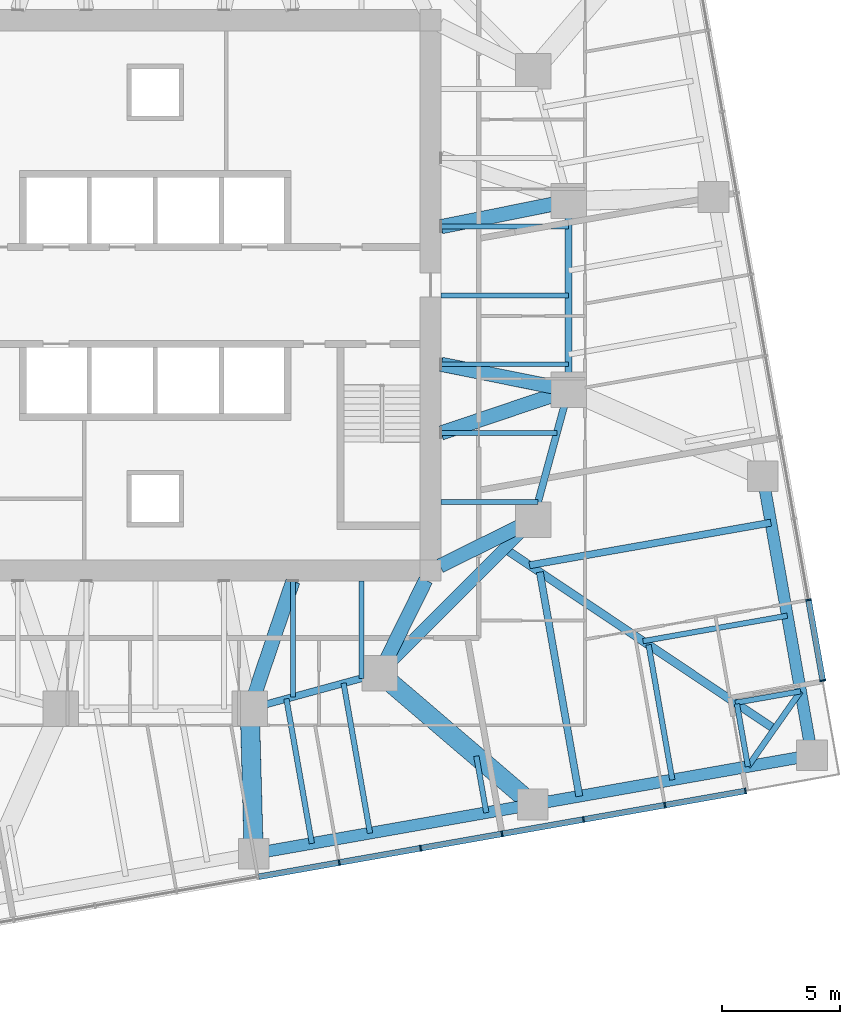
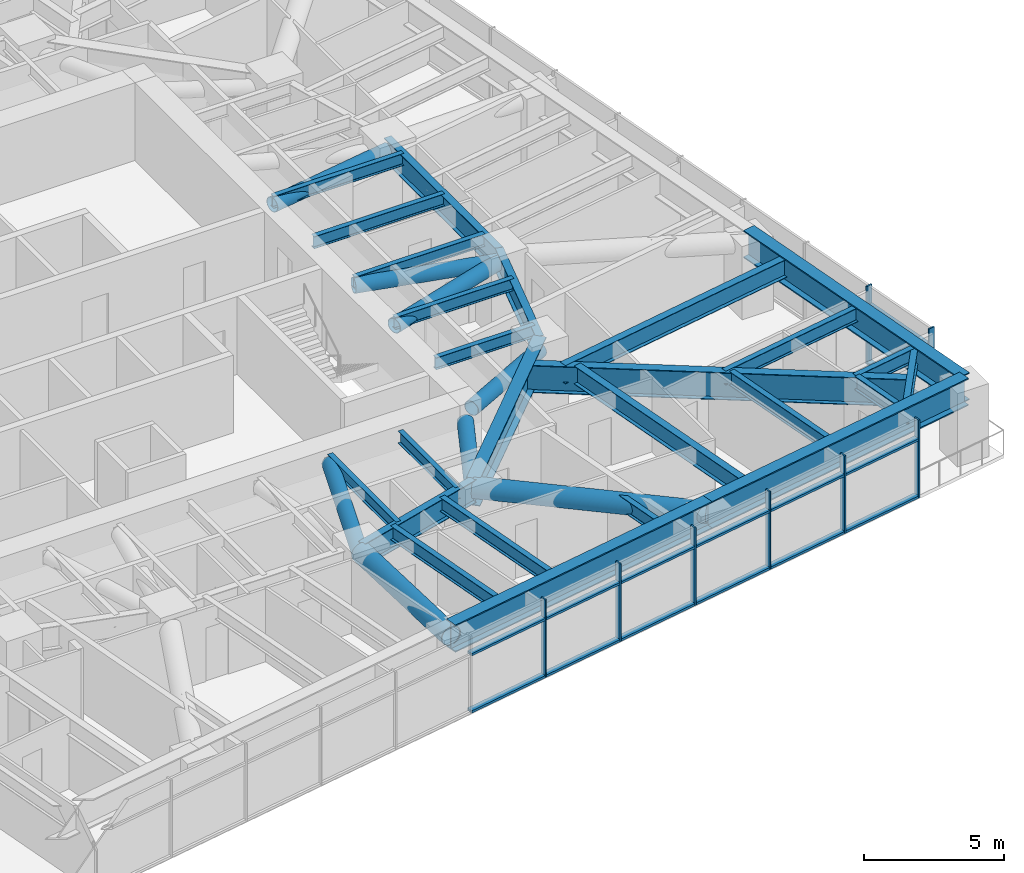
# One storey, part 4 of 17: 30 members, 25 beams, 2 elements without a shape of their own.
"""IFC4 building model written with IfcOpenShell, lengths in metres."""

from ifc_helpers import new_model, si_unit, direction, frame, origin, origin_2d, place, context, subcontext, project, spatial, rectangle, hollow_circle, i_section, extrude, material, material_profile, profile_set, type_object, element, aggregate, save


model = new_model("IFC4")

# Units and contexts
model_context = context("Model", 3, precision=1e-05, world=origin(), true_north=direction((0.0, 1.0)))
body_context = subcontext(model_context, "Body", "Model", "MODEL_VIEW")
ifc_project = project(units=[si_unit("LENGTHUNIT", "METRE"), si_unit("AREAUNIT", "SQUARE_METRE"), si_unit("VOLUMEUNIT", "CUBIC_METRE"), si_unit("PLANEANGLEUNIT", "RADIAN"), si_unit("MASSUNIT", "GRAM", prefix="KILO")], contexts=[model_context])

# Site, building, storey
site_placement = place(None, origin())
site = spatial("IfcSite", under=ifc_project, at=site_placement, CompositionType="ELEMENT")
building_placement = place(site_placement, origin())
building = spatial("IfcBuilding", under=site, at=building_placement, Name="Torsade Residences", CompositionType="ELEMENT")
storey_placement = place(building_placement, frame((0.0, 0.0, 103.199951171875)))
storey = spatial("IfcBuildingStorey", under=building, at=storey_placement, Name="L28", CompositionType="ELEMENT", Elevation=103.199951171875)

# Beams
ifc_material_1 = material(Name="Steel grade 300", Category="steel")
ifc_material_profile_1 = material_profile(ifc_material_1, i_section(OverallWidth=0.35009765625, OverallDepth=1.199951171875, WebThickness=0.01611328125, FlangeThickness=0.028076171875, at=origin_2d()), Name="1200WB278")
ifc_profile_set_1 = profile_set([ifc_material_profile_1], Name="Steel grade 300")
beam_type_1 = type_object("IfcBeamType", Name="CORNER GIRDER 1200WB278", PredefinedType="BEAM", material=ifc_profile_set_1)
beam_1_placement = place(storey_placement, frame((66.2099609375, 11.6474609375, 2.60009765625), z_axis=(-0.831284218533, 0.555847594236, 0.0), x_axis=(-0.555847594236, -0.831284218533, 0.0)))
element("IfcBeam", 1, at=beam_1_placement, inside=storey, type_object=beam_type_1, Name="Corner girder 05 L29", PredefinedType="BEAM", context=body_context, shape_type="SweptSolid", body=[
    extrude(i_section(OverallWidth=0.35009765625, OverallDepth=1.199951171875, WebThickness=0.01611328125, FlangeThickness=0.028076171875, at=origin_2d()), origin(), (0.0, 0.0, 1.0), 13.742431640625),
])
ifc_material_2 = material(Name="Steel grade 300", Category="steel")
ifc_material_profile_2 = material_profile(ifc_material_2, i_section(OverallWidth=0.25, OverallDepth=0.699951171875, WebThickness=0.010009765625, FlangeThickness=0.02001953125, at=origin_2d()), Name="700WB130")
ifc_profile_set_2 = profile_set([ifc_material_profile_2], Name="Steel grade 300")
beam_type_2 = type_object("IfcBeamType", Name="CORNER TRIMMER 700WB130", PredefinedType="BEAM", material=ifc_profile_set_2)
beam_2_placement = place(storey_placement, frame((67.325439453125, 13.240478515625, 2.85009765625), z_axis=(-0.573576092373, -0.819152285145, 0.0), x_axis=(0.819152285145, -0.573576092373, 0.0)))
element("IfcBeam", 2, at=beam_2_placement, inside=storey, type_object=beam_type_2, Name="Corner trimmer 05 L29", PredefinedType="BEAM", context=body_context, shape_type="SweptSolid", body=[
    extrude(i_section(OverallWidth=0.25, OverallDepth=0.699951171875, WebThickness=0.010009765625, FlangeThickness=0.02001953125, at=origin_2d()), origin(), (0.0, 0.0, 1.0), 3.88916015625),
])

# Curtain wall, members
ifc_material_3 = material(Name="Aluminium and glass", Category="aluminium")
curtain_wall_type = type_object("IfcCurtainWallType", Name="FRITTED GLASS CURTAIN WALL LOW ZONE", PredefinedType="NOTDEFINED", material=ifc_material_3)
curtain_wall_1_placement = place(storey_placement, origin())
curtain_wall_1 = element("IfcCurtainWall", 3, at=curtain_wall_1_placement, inside=storey, type_object=curtain_wall_type, Name="Curtain wall L28 face 1", PredefinedType="NOTDEFINED")
ifc_material_4 = material(Name="Aluminium mullion", Category="aluminium")
ifc_material_profile_3 = material_profile(ifc_material_4, rectangle(XDim=0.25, YDim=0.06494140625, at=origin_2d()), Name="CURTAIN WALL MULLION 250x65")
ifc_profile_set_3 = profile_set([ifc_material_profile_3], Name="Aluminium mullion")
member_type_1 = type_object("IfcMemberType", Name="CURTAIN WALL MULLION 250x65", PredefinedType="MULLION", material=ifc_profile_set_3)
member_1_placement = place(storey_placement, frame((47.7880859375, 5.987548828125, 0.0), z_axis=(0.0, 0.0, 1.0), x_axis=(-0.173648192638, 0.984807750372, 0.0)))
member_1 = element("IfcMember", 4, at=member_1_placement, type_object=member_type_1, Name="Mullion 8", PredefinedType="MULLION", context=body_context, shape_type="SweptSolid", body=[
    extrude(rectangle(XDim=0.25, YDim=0.06494140625, at=origin_2d()), origin(), (0.0, 0.0, 1.0), 3.400146484375),
])
member_2_placement = place(storey_placement, frame((51.23486328125, 6.595458984375, 0.0), z_axis=(0.0, 0.0, 1.0), x_axis=(-0.173648192638, 0.984807750372, 0.0)))
member_2 = element("IfcMember", 5, at=member_2_placement, type_object=member_type_1, Name="Mullion 9", PredefinedType="MULLION", context=body_context, shape_type="SweptSolid", body=[
    extrude(rectangle(XDim=0.25, YDim=0.06494140625, at=origin_2d()), origin(), (0.0, 0.0, 1.0), 3.400146484375),
])
member_3_placement = place(storey_placement, frame((54.681640625, 7.203125, 0.0), z_axis=(0.0, 0.0, 1.0), x_axis=(-0.173648192638, 0.984807750372, 0.0)))
member_3 = element("IfcMember", 6, at=member_3_placement, type_object=member_type_1, Name="Mullion 10", PredefinedType="MULLION", context=body_context, shape_type="SweptSolid", body=[
    extrude(rectangle(XDim=0.25, YDim=0.06494140625, at=origin_2d()), origin(), (0.0, 0.0, 1.0), 3.400146484375),
])
member_4_placement = place(storey_placement, frame((58.12841796875, 7.810791015625, 0.0), z_axis=(0.0, 0.0, 1.0), x_axis=(-0.173648192638, 0.984807750372, 0.0)))
member_4 = element("IfcMember", 7, at=member_4_placement, type_object=member_type_1, Name="Mullion 11", PredefinedType="MULLION", context=body_context, shape_type="SweptSolid", body=[
    extrude(rectangle(XDim=0.25, YDim=0.06494140625, at=origin_2d()), origin(), (0.0, 0.0, 1.0), 3.400146484375),
])
member_5_placement = place(storey_placement, frame((61.575439453125, 8.418701171875, 0.0), z_axis=(0.0, 0.0, 1.0), x_axis=(-0.173648192638, 0.984807750372, 0.0)))
member_5 = element("IfcMember", 8, at=member_5_placement, type_object=member_type_1, Name="Mullion 12", PredefinedType="MULLION", context=body_context, shape_type="SweptSolid", body=[
    extrude(rectangle(XDim=0.25, YDim=0.06494140625, at=origin_2d()), origin(), (0.0, 0.0, 1.0), 3.400146484375),
])
member_6_placement = place(storey_placement, frame((64.990234375, 9.020751953125, 0.0), z_axis=(0.0, 0.0, 1.0), x_axis=(-0.173648192638, 0.984807750372, 0.0)))
member_6 = element("IfcMember", 9, at=member_6_placement, type_object=member_type_1, Name="Mullion 13", PredefinedType="MULLION", context=body_context, shape_type="SweptSolid", body=[
    extrude(rectangle(XDim=0.25, YDim=0.06494140625, at=origin_2d()), origin(), (0.0, 0.0, 1.0), 3.400146484375),
])

curtain_wall_2_placement = place(storey_placement, origin())
curtain_wall_2 = element("IfcCurtainWall", 10, at=curtain_wall_2_placement, inside=storey, type_object=curtain_wall_type, Name="Curtain wall L28 face 4", PredefinedType="NOTDEFINED")
member_7_placement = place(storey_placement, frame((68.26123046875, 13.692138671875, 0.0), z_axis=(0.0, 0.0, 1.0), x_axis=(-0.984807750372, -0.173648192638, 0.0)))
member_7 = element("IfcMember", 11, at=member_7_placement, type_object=member_type_1, Name="Mullion 1", PredefinedType="MULLION", context=body_context, shape_type="SweptSolid", body=[
    extrude(rectangle(XDim=0.25, YDim=0.06494140625, at=origin_2d()), origin(), (0.0, 0.0, 1.0), 3.400146484375),
])
member_8_placement = place(storey_placement, frame((67.658935546875, 17.107177734375, 0.0), z_axis=(0.0, 0.0, 1.0), x_axis=(-0.984807750372, -0.173648192638, 0.0)))
member_8 = element("IfcMember", 12, at=member_8_placement, type_object=member_type_1, Name="Mullion 2", PredefinedType="MULLION", context=body_context, shape_type="SweptSolid", body=[
    extrude(rectangle(XDim=0.25, YDim=0.06494140625, at=origin_2d()), origin(), (0.0, 0.0, 1.0), 3.400146484375),
])

# Member
ifc_material_5 = material(Name="Aluminium transom", Category="aluminium")
ifc_material_profile_4 = material_profile(ifc_material_5, rectangle(XDim=0.25, YDim=0.10009765625, at=origin_2d()), Name="CURTAIN WALL TRANSOM 250x100")
ifc_profile_set_4 = profile_set([ifc_material_profile_4], Name="Aluminium transom")
member_type_2 = type_object("IfcMemberType", Name="CURTAIN WALL TRANSOM 250x100", PredefinedType="USERDEFINED", material=ifc_profile_set_4)
member_9_placement = place(storey_placement, frame((44.373291015625, 5.385498046875, 0.050048828125), z_axis=(0.984810021497, 0.17363531196, 0.0), x_axis=(-0.17363531196, 0.984810021497, 0.0)))
member_9 = element("IfcMember", 13, at=member_9_placement, type_object=member_type_2, Name="Transom 7.1", ObjectType="TRANSOM", PredefinedType="USERDEFINED", context=body_context, shape_type="SweptSolid", body=[
    extrude(rectangle(XDim=0.25, YDim=0.10009765625, at=origin_2d()), origin(), (0.0, 0.0, 1.0), 3.43505859375),
])

member_10_placement = place(storey_placement, frame((44.373291015625, 5.385498046875, 2.550048828125), z_axis=(0.984810021497, 0.17363531196, 0.0), x_axis=(-0.17363531196, 0.984810021497, 0.0)))
member_10 = element("IfcMember", 14, at=member_10_placement, type_object=member_type_2, Name="Transom 7.2", ObjectType="TRANSOM", PredefinedType="USERDEFINED", context=body_context, shape_type="SweptSolid", body=[
    extrude(rectangle(XDim=0.25, YDim=0.10009765625, at=origin_2d()), origin(), (0.0, 0.0, 1.0), 3.43505859375),
])

member_11_placement = place(storey_placement, frame((47.820068359375, 5.9931640625, 0.050048828125), z_axis=(0.984810021497, 0.17363531196, 0.0), x_axis=(-0.17363531196, 0.984810021497, 0.0)))
member_11 = element("IfcMember", 15, at=member_11_placement, type_object=member_type_2, Name="Transom 8.1", ObjectType="TRANSOM", PredefinedType="USERDEFINED", context=body_context, shape_type="SweptSolid", body=[
    extrude(rectangle(XDim=0.25, YDim=0.10009765625, at=origin_2d()), origin(), (0.0, 0.0, 1.0), 3.43505859375),
])

member_12_placement = place(storey_placement, frame((47.820068359375, 5.9931640625, 2.550048828125), z_axis=(0.984810021497, 0.17363531196, 0.0), x_axis=(-0.17363531196, 0.984810021497, 0.0)))
member_12 = element("IfcMember", 16, at=member_12_placement, type_object=member_type_2, Name="Transom 8.2", ObjectType="TRANSOM", PredefinedType="USERDEFINED", context=body_context, shape_type="SweptSolid", body=[
    extrude(rectangle(XDim=0.25, YDim=0.10009765625, at=origin_2d()), origin(), (0.0, 0.0, 1.0), 3.43505859375),
])

member_13_placement = place(storey_placement, frame((51.266845703125, 6.60107421875, 0.050048828125), z_axis=(0.984810021497, 0.17363531196, 0.0), x_axis=(-0.17363531196, 0.984810021497, 0.0)))
member_13 = element("IfcMember", 17, at=member_13_placement, type_object=member_type_2, Name="Transom 9.1", ObjectType="TRANSOM", PredefinedType="USERDEFINED", context=body_context, shape_type="SweptSolid", body=[
    extrude(rectangle(XDim=0.25, YDim=0.10009765625, at=origin_2d()), origin(), (0.0, 0.0, 1.0), 3.43505859375),
])

member_14_placement = place(storey_placement, frame((51.266845703125, 6.60107421875, 2.550048828125), z_axis=(0.984810021497, 0.17363531196, 0.0), x_axis=(-0.17363531196, 0.984810021497, 0.0)))
member_14 = element("IfcMember", 18, at=member_14_placement, type_object=member_type_2, Name="Transom 9.2", ObjectType="TRANSOM", PredefinedType="USERDEFINED", context=body_context, shape_type="SweptSolid", body=[
    extrude(rectangle(XDim=0.25, YDim=0.10009765625, at=origin_2d()), origin(), (0.0, 0.0, 1.0), 3.43505859375),
])

member_15_placement = place(storey_placement, frame((54.713623046875, 7.208740234375, 0.050048828125), z_axis=(0.984810021497, 0.17363531196, 0.0), x_axis=(-0.17363531196, 0.984810021497, 0.0)))
member_15 = element("IfcMember", 19, at=member_15_placement, type_object=member_type_2, Name="Transom 10.1", ObjectType="TRANSOM", PredefinedType="USERDEFINED", context=body_context, shape_type="SweptSolid", body=[
    extrude(rectangle(XDim=0.25, YDim=0.10009765625, at=origin_2d()), origin(), (0.0, 0.0, 1.0), 3.43505859375),
])

member_16_placement = place(storey_placement, frame((54.713623046875, 7.208740234375, 2.550048828125), z_axis=(0.984810021497, 0.17363531196, 0.0), x_axis=(-0.17363531196, 0.984810021497, 0.0)))
member_16 = element("IfcMember", 20, at=member_16_placement, type_object=member_type_2, Name="Transom 10.2", ObjectType="TRANSOM", PredefinedType="USERDEFINED", context=body_context, shape_type="SweptSolid", body=[
    extrude(rectangle(XDim=0.25, YDim=0.10009765625, at=origin_2d()), origin(), (0.0, 0.0, 1.0), 3.43505859375),
])

member_17_placement = place(storey_placement, frame((58.160400390625, 7.81640625, 0.050048828125), z_axis=(0.98479786563, 0.173704242465, 0.0), x_axis=(-0.173704242465, 0.98479786563, 0.0)))
member_17 = element("IfcMember", 21, at=member_17_placement, type_object=member_type_2, Name="Transom 11.1", ObjectType="TRANSOM", PredefinedType="USERDEFINED", context=body_context, shape_type="SweptSolid", body=[
    extrude(rectangle(XDim=0.25, YDim=0.10009765625, at=origin_2d()), origin(), (0.0, 0.0, 1.0), 3.43505859375),
])

member_18_placement = place(storey_placement, frame((58.160400390625, 7.81640625, 2.550048828125), z_axis=(0.98479786563, 0.173704242465, 0.0), x_axis=(-0.173704242465, 0.98479786563, 0.0)))
member_18 = element("IfcMember", 22, at=member_18_placement, type_object=member_type_2, Name="Transom 11.2", ObjectType="TRANSOM", PredefinedType="USERDEFINED", context=body_context, shape_type="SweptSolid", body=[
    extrude(rectangle(XDim=0.25, YDim=0.10009765625, at=origin_2d()), origin(), (0.0, 0.0, 1.0), 3.43505859375),
])

member_19_placement = place(storey_placement, frame((61.607421875, 8.42431640625, 0.050048828125), z_axis=(0.984808830466, 0.173642067011, 0.0), x_axis=(-0.173642067011, 0.984808830466, 0.0)))
member_19 = element("IfcMember", 23, at=member_19_placement, type_object=member_type_2, Name="Transom 12.1", ObjectType="TRANSOM", PredefinedType="USERDEFINED", context=body_context, shape_type="SweptSolid", body=[
    extrude(rectangle(XDim=0.25, YDim=0.10009765625, at=origin_2d()), origin(), (0.0, 0.0, 1.0), 3.402587890625),
])

member_20_placement = place(storey_placement, frame((61.607421875, 8.42431640625, 2.550048828125), z_axis=(0.984808830466, 0.173642067011, 0.0), x_axis=(-0.173642067011, 0.984808830466, 0.0)))
member_20 = element("IfcMember", 24, at=member_20_placement, type_object=member_type_2, Name="Transom 12.2", ObjectType="TRANSOM", PredefinedType="USERDEFINED", context=body_context, shape_type="SweptSolid", body=[
    extrude(rectangle(XDim=0.25, YDim=0.10009765625, at=origin_2d()), origin(), (0.0, 0.0, 1.0), 3.402587890625),
])

aggregate(curtain_wall_1, [member_1, member_2, member_3, member_4, member_5, member_6, member_9, member_10, member_11, member_12, member_13, member_14, member_15, member_16, member_17, member_18, member_19, member_20])

member_21_placement = place(storey_placement, frame((68.255615234375, 13.724365234375, 0.050048828125), z_axis=(-0.173654337918, 0.984806666774, 0.0), x_axis=(-0.984806666774, -0.173654337918, 0.0)))
member_21 = element("IfcMember", 25, at=member_21_placement, type_object=member_type_2, Name="Transom 1.1", ObjectType="TRANSOM", PredefinedType="USERDEFINED", context=body_context, shape_type="SweptSolid", body=[
    extrude(rectangle(XDim=0.25, YDim=0.10009765625, at=origin_2d()), origin(), (0.0, 0.0, 1.0), 3.40234375),
])

member_22_placement = place(storey_placement, frame((68.255615234375, 13.724365234375, 2.550048828125), z_axis=(-0.173654337918, 0.984806666774, 0.0), x_axis=(-0.984806666774, -0.173654337918, 0.0)))
member_22 = element("IfcMember", 26, at=member_22_placement, type_object=member_type_2, Name="Transom 1.2", ObjectType="TRANSOM", PredefinedType="USERDEFINED", context=body_context, shape_type="SweptSolid", body=[
    extrude(rectangle(XDim=0.25, YDim=0.10009765625, at=origin_2d()), origin(), (0.0, 0.0, 1.0), 3.40234375),
])

aggregate(curtain_wall_2, [member_7, member_8, member_21, member_22])

# Beams
ifc_material_6 = material(Name="Steel grade 300", Category="steel")
ifc_material_profile_5 = material_profile(ifc_material_6, i_section(OverallWidth=0.208984375, OverallDepth=0.528076171875, WebThickness=0.009521484375, FlangeThickness=0.01318359375, FilletRadius=0.013916015625, at=origin_2d()), Name="530UB82.0")
ifc_profile_set_5 = profile_set([ifc_material_profile_5], Name="Steel grade 300")
beam_type_3 = type_object("IfcBeamType", Name="INNER FLOOR BEAM 530UB82.0", PredefinedType="JOIST", material=ifc_profile_set_5)
beam_3_placement = place(storey_placement, frame((48.737548828125, 17.89990234375, 2.93603515625), z_axis=(0.0, -1.0, 0.0), x_axis=(1.0, 0.0, 0.0)))
element("IfcBeam", 27, at=beam_3_placement, inside=storey, type_object=beam_type_3, Name="Inner floor beam IS01 L29", PredefinedType="JOIST", context=body_context, shape_type="SweptSolid", body=[
    extrude(i_section(OverallWidth=0.208984375, OverallDepth=0.528076171875, WebThickness=0.009521484375, FlangeThickness=0.01318359375, FilletRadius=0.013916015625, at=origin_2d()), origin(), (0.0, 0.0, 1.0), 4.10791015625),
])
beam_4_placement = place(storey_placement, frame((45.824951171875, 17.89990234375, 2.93603515625), z_axis=(0.0, -1.0, 0.0), x_axis=(1.0, 0.0, 0.0)))
element("IfcBeam", 28, at=beam_4_placement, inside=storey, type_object=beam_type_3, Name="Inner floor beam IS02 L29", PredefinedType="JOIST", context=body_context, shape_type="SweptSolid", body=[
    extrude(i_section(OverallWidth=0.208984375, OverallDepth=0.528076171875, WebThickness=0.009521484375, FlangeThickness=0.01318359375, FilletRadius=0.013916015625, at=origin_2d()), origin(), (0.0, 0.0, 1.0), 4.902099609375),
])
beam_5_placement = place(storey_placement, frame((52.10009765625, 21.262451171875, 2.93603515625), z_axis=(1.0, 0.0, 0.0), x_axis=(0.0, 1.0, 0.0)))
element("IfcBeam", 29, at=beam_5_placement, inside=storey, type_object=beam_type_3, Name="Inner floor beam IE01 L29", PredefinedType="JOIST", context=body_context, shape_type="SweptSolid", body=[
    extrude(i_section(OverallWidth=0.208984375, OverallDepth=0.528076171875, WebThickness=0.009521484375, FlangeThickness=0.01318359375, FilletRadius=0.013916015625, at=origin_2d()), origin(), (0.0, 0.0, 1.0), 4.10791015625),
])
beam_6_placement = place(storey_placement, frame((52.10009765625, 24.175048828125, 2.93603515625), z_axis=(1.0, 0.0, 0.0), x_axis=(0.0, 1.0, 0.0)))
element("IfcBeam", 30, at=beam_6_placement, inside=storey, type_object=beam_type_3, Name="Inner floor beam IE02 L29", PredefinedType="JOIST", context=body_context, shape_type="SweptSolid", body=[
    extrude(i_section(OverallWidth=0.208984375, OverallDepth=0.528076171875, WebThickness=0.009521484375, FlangeThickness=0.01318359375, FilletRadius=0.013916015625, at=origin_2d()), origin(), (0.0, 0.0, 1.0), 4.902099609375),
])
for number, where, z_axis, x_axis, name in (
    (31, (52.10009765625, 27.08740234375, 2.93603515625), (1.0, 0.0, 0.0), (0.0, 1.0, 0.0), "Inner floor beam IE03 L29"),
    (32, (52.10009765625, 30.0, 2.93603515625), (1.0, 0.0, 0.0), (0.0, 1.0, 0.0), "Inner floor beam IE04 L29"),
    (33, (52.10009765625, 32.91259765625, 2.93603515625), (1.0, 0.0, 0.0), (0.0, 1.0, 0.0), "Inner floor beam IE05 L29"),
):
    element("IfcBeam", number, at=place(storey_placement, frame(where, z_axis=z_axis, x_axis=x_axis)), inside=storey, type_object=beam_type_3, Name=name, PredefinedType="JOIST", context=body_context, shape_type="SweptSolid", body=[
        extrude(i_section(OverallWidth=0.208984375, OverallDepth=0.528076171875, WebThickness=0.009521484375, FlangeThickness=0.01318359375, FilletRadius=0.013916015625, at=origin_2d()), origin(), (0.0, 0.0, 1.0), 5.39990234375),
    ])
ifc_material_7 = material(Name="Steel grade 300", Category="steel")
ifc_material_profile_6 = material_profile(ifc_material_7, i_section(OverallWidth=0.5, OverallDepth=1.199951171875, WebThickness=0.01611328125, FlangeThickness=0.0400390625, at=origin_2d()), Name="1200WB455")
ifc_profile_set_6 = profile_set([ifc_material_profile_6], Name="Steel grade 300")
beam_type_4 = type_object("IfcBeamType", Name="RING CORNER GIRDER 1200WB455", PredefinedType="BEAM", material=ifc_profile_set_6)
beam_7_placement = place(storey_placement, frame((49.5, 14.0, 2.60009765625), z_axis=(0.707106781187, 0.707106781187, 0.0), x_axis=(-0.707106781187, 0.707106781187, 0.0)))
element("IfcBeam", 34, at=beam_7_placement, inside=storey, type_object=beam_type_4, Name="Ring girder IR15 L29", PredefinedType="BEAM", context=body_context, shape_type="SweptSolid", body=[
    extrude(i_section(OverallWidth=0.5, OverallDepth=1.199951171875, WebThickness=0.01611328125, FlangeThickness=0.0400390625, at=origin_2d()), origin(), (0.0, 0.0, 1.0), 9.1923828125),
])
ifc_material_8 = material(Name="Steel grade 300", Category="steel")
ifc_material_profile_7 = material_profile(ifc_material_8, i_section(OverallWidth=0.300048828125, OverallDepth=1.0, WebThickness=0.01611328125, FlangeThickness=0.028076171875, at=origin_2d()), Name="1000WB215")
ifc_profile_set_7 = profile_set([ifc_material_profile_7], Name="Steel grade 300")
beam_type_5 = type_object("IfcBeamType", Name="RING GIRDER 1000WB215", PredefinedType="BEAM", material=ifc_profile_set_7)
beam_8_placement = place(storey_placement, frame((57.5, 26.0, 2.699951171875), z_axis=(0.0, 1.0, 0.0), x_axis=(-1.0, 0.0, 0.0)))
element("IfcBeam", 35, at=beam_8_placement, inside=storey, type_object=beam_type_5, Name="Ring girder IR01 L29", PredefinedType="BEAM", context=body_context, shape_type="SweptSolid", body=[
    extrude(i_section(OverallWidth=0.300048828125, OverallDepth=1.0, WebThickness=0.01611328125, FlangeThickness=0.028076171875, at=origin_2d()), origin(), (0.0, 0.0, 1.0), 8.0),
])
for number, where, z_axis, x_axis, name in (
    (36, (44.0, 12.5, 2.699951171875), (0.964763821238, 0.263117405792, 0.0), (-0.263117405792, 0.964763821238, 0.0), "Ring girder IR14 L29"),
    (37, (56.0, 20.5, 2.699951171875), (0.263117405792, 0.964763821238, 0.0), (-0.964763821238, 0.263117405792, 0.0), "Ring girder IR16 L29"),
):
    element("IfcBeam", number, at=place(storey_placement, frame(where, z_axis=z_axis, x_axis=x_axis)), inside=storey, type_object=beam_type_5, Name=name, PredefinedType="BEAM", context=body_context, shape_type="SweptSolid", body=[
        extrude(i_section(OverallWidth=0.300048828125, OverallDepth=1.0, WebThickness=0.01611328125, FlangeThickness=0.028076171875, at=origin_2d()), origin(), (0.0, 0.0, 1.0), 5.700927734375),
    ])
ifc_material_9 = material(Name="Steel grade 300", Category="steel")
ifc_material_profile_8 = material_profile(ifc_material_9, i_section(OverallWidth=0.22900390625, OverallDepth=0.612060546875, WebThickness=0.011962890625, FlangeThickness=0.01953125, FilletRadius=0.013916015625, at=origin_2d()), Name="610UB125")
ifc_profile_set_8 = profile_set([ifc_material_profile_8], Name="Steel grade 300")
beam_type_6 = type_object("IfcBeamType", Name="SECONDARY BEAM 610UB125", PredefinedType="JOIST", material=ifc_profile_set_8)
beam_9_placement = place(storey_placement, frame((46.629638671875, 6.798828125, 2.89404296875), z_axis=(-0.173655425542, 0.984806474989, 0.0), x_axis=(-0.984806474989, -0.173655425542, 0.0)))
element("IfcBeam", 38, at=beam_9_placement, inside=storey, type_object=beam_type_6, Name="Floor beam FS07 L29", PredefinedType="JOIST", context=body_context, shape_type="SweptSolid", body=[
    extrude(i_section(OverallWidth=0.22900390625, OverallDepth=0.612060546875, WebThickness=0.011962890625, FlangeThickness=0.01953125, FilletRadius=0.013916015625, at=origin_2d()), origin(), (0.0, 0.0, 1.0), 6.21826171875),
])
beam_10_placement = place(storey_placement, frame((49.091552734375, 7.23291015625, 2.89404296875), z_axis=(-0.17363198078, 0.984810608823, 0.0), x_axis=(-0.984810608823, -0.17363198078, 0.0)))
element("IfcBeam", 39, at=beam_10_placement, inside=storey, type_object=beam_type_6, Name="Floor beam FS08 L29", PredefinedType="JOIST", context=body_context, shape_type="SweptSolid", body=[
    extrude(i_section(OverallWidth=0.22900390625, OverallDepth=0.612060546875, WebThickness=0.011962890625, FlangeThickness=0.01953125, FilletRadius=0.013916015625, at=origin_2d()), origin(), (0.0, 0.0, 1.0), 6.4482421875),
])
beam_11_placement = place(storey_placement, frame((54.015625, 8.10107421875, 2.89404296875), z_axis=(-0.173687967535, 0.984800736156, 0.0), x_axis=(-0.984800736156, -0.173687967535, 0.0)))
element("IfcBeam", 40, at=beam_11_placement, inside=storey, type_object=beam_type_6, Name="Floor beam FS09 L29", PredefinedType="JOIST", context=body_context, shape_type="SweptSolid", body=[
    extrude(i_section(OverallWidth=0.22900390625, OverallDepth=0.612060546875, WebThickness=0.011962890625, FlangeThickness=0.01953125, FilletRadius=0.013916015625, at=origin_2d()), origin(), (0.0, 0.0, 1.0), 2.431640625),
])
beam_12_placement = place(storey_placement, frame((61.89404296875, 9.490234375, 2.89404296875), z_axis=(-0.17364618288, 0.984808104745, 0.0), x_axis=(-0.984808104745, -0.17364618288, 0.0)))
element("IfcBeam", 41, at=beam_12_placement, inside=storey, type_object=beam_type_6, Name="Floor beam FS11 L29", PredefinedType="JOIST", context=body_context, shape_type="SweptSolid", body=[
    extrude(i_section(OverallWidth=0.22900390625, OverallDepth=0.612060546875, WebThickness=0.011962890625, FlangeThickness=0.01953125, FilletRadius=0.013916015625, at=origin_2d()), origin(), (0.0, 0.0, 1.0), 5.80517578125),
])
beam_13_placement = place(storey_placement, frame((65.0947265625, 10.0546875, 2.89404296875), z_axis=(-0.173671513648, 0.984803637964, 0.0), x_axis=(-0.984803637964, -0.173671513648, 0.0)))
element("IfcBeam", 42, at=beam_13_placement, inside=storey, type_object=beam_type_6, Name="Floor beam FS12 L29", PredefinedType="JOIST", context=body_context, shape_type="SweptSolid", body=[
    extrude(i_section(OverallWidth=0.22900390625, OverallDepth=0.612060546875, WebThickness=0.011962890625, FlangeThickness=0.01953125, FilletRadius=0.013916015625, at=origin_2d()), origin(), (0.0, 0.0, 1.0), 2.692138671875),
])
beam_14_placement = place(storey_placement, frame((67.325439453125, 13.240478515625, 2.89404296875), z_axis=(-0.984808034965, -0.173646578627, 0.0), x_axis=(0.173646578627, -0.984808034965, 0.0)))
element("IfcBeam", 43, at=beam_14_placement, inside=storey, type_object=beam_type_6, Name="Floor beam FE01 L29", PredefinedType="JOIST", context=body_context, shape_type="SweptSolid", body=[
    extrude(i_section(OverallWidth=0.22900390625, OverallDepth=0.612060546875, WebThickness=0.011962890625, FlangeThickness=0.01953125, FilletRadius=0.013916015625, at=origin_2d()), origin(), (0.0, 0.0, 1.0), 2.810546875),
])
beam_15_placement = place(storey_placement, frame((66.760986328125, 16.44091796875, 2.89404296875), z_axis=(-0.984808114517, -0.173646127458, 0.0), x_axis=(0.173646127458, -0.984808114517, 0.0)))
element("IfcBeam", 44, at=beam_15_placement, inside=storey, type_object=beam_type_6, Name="Floor beam FE02 L29", PredefinedType="JOIST", context=body_context, shape_type="SweptSolid", body=[
    extrude(i_section(OverallWidth=0.22900390625, OverallDepth=0.612060546875, WebThickness=0.011962890625, FlangeThickness=0.01953125, FilletRadius=0.013916015625, at=origin_2d()), origin(), (0.0, 0.0, 1.0), 6.203125),
])
ifc_material_10 = material(Name="Steel grade 300", Category="steel")
ifc_material_profile_9 = material_profile(ifc_material_10, i_section(OverallWidth=0.300048828125, OverallDepth=0.800048828125, WebThickness=0.010009765625, FlangeThickness=0.02001953125, at=origin_2d()), Name="800WB146")
ifc_profile_set_9 = profile_set([ifc_material_profile_9], Name="Steel grade 300")
beam_type_7 = type_object("IfcBeamType", Name="SECONDARY BEAM 800WB146", PredefinedType="JOIST", material=ifc_profile_set_9)
beam_16_placement = place(storey_placement, frame((57.954833984375, 8.795654296875, 2.800048828125), z_axis=(-0.173639363846, 0.984809307086, 0.0), x_axis=(-0.984809307086, -0.173639363846, 0.0)))
element("IfcBeam", 45, at=beam_16_placement, inside=storey, type_object=beam_type_7, Name="Floor beam FS10 L29", PredefinedType="JOIST", context=body_context, shape_type="SweptSolid", body=[
    extrude(i_section(OverallWidth=0.300048828125, OverallDepth=0.800048828125, WebThickness=0.010009765625, FlangeThickness=0.02001953125, at=origin_2d()), origin(), (0.0, 0.0, 1.0), 9.636962890625),
])
beam_17_placement = place(storey_placement, frame((66.06640625, 20.380126953125, 2.800048828125), z_axis=(-0.98480888615, -0.173641751202, 0.0), x_axis=(0.173641751202, -0.98480888615, 0.0)))
element("IfcBeam", 46, at=beam_17_placement, inside=storey, type_object=beam_type_7, Name="Floor beam FE03 L29", PredefinedType="JOIST", context=body_context, shape_type="SweptSolid", body=[
    extrude(i_section(OverallWidth=0.300048828125, OverallDepth=0.800048828125, WebThickness=0.010009765625, FlangeThickness=0.02001953125, at=origin_2d()), origin(), (0.0, 0.0, 1.0), 10.379150390625),
])

# Members
ifc_material_11 = material(Name="Steel grade 450", Category="steel")
ifc_material_profile_10 = material_profile(ifc_material_11, hollow_circle(Radius=0.304931640625, WallThickness=0.01611328125, at=origin_2d()), Name="610.0x16.0CHS")
ifc_profile_set_10 = profile_set([ifc_material_profile_10], Name="Steel grade 450")
member_type_3 = type_object("IfcMemberType", Name="TRANSFER FLOOR BRACE 610.0x16.0CHS", PredefinedType="BRACE", material=ifc_profile_set_10)
member_23_placement = place(storey_placement, frame((57.5, 26.0, 2.60009765625), z_axis=(-0.97976207845, 0.197299045909, 0.03375434957), x_axis=(-0.197411538983, -0.980320704809, 0.0)))
element("IfcMember", 47, at=member_23_placement, inside=storey, type_object=member_type_3, Name="Transfer floor brace TT3 bottom IR01IE03", PredefinedType="BRACE", context=body_context, shape_type="SweptSolid", body=[
    extrude(hollow_circle(Radius=0.304931640625, WallThickness=0.01611328125, at=origin_2d()), origin(), (0.0, 0.0, 1.0), 5.511474609375),
])
member_24_placement = place(storey_placement, frame((57.5, 26.0, 2.60009765625), z_axis=(-0.946855969774, -0.319999474368, 0.032620682203), x_axis=(0.320169867513, -0.947360151124, 0.0)))
element("IfcMember", 48, at=member_24_placement, inside=storey, type_object=member_type_3, Name="Transfer floor brace TT3 bottom IR01IE02", PredefinedType="BRACE", context=body_context, shape_type="SweptSolid", body=[
    extrude(hollow_circle(Radius=0.304931640625, WallThickness=0.01611328125, at=origin_2d()), origin(), (0.0, 0.0, 1.0), 5.702880859375),
])
member_25_placement = place(storey_placement, frame((57.5, 34.0, 2.60009765625), z_axis=(-0.97976207845, -0.197299045909, 0.03375434957), x_axis=(0.197411538983, -0.980320704809, 0.0)))
element("IfcMember", 49, at=member_25_placement, inside=storey, type_object=member_type_3, Name="Transfer floor brace TT3 bottom IR02IE05", PredefinedType="BRACE", context=body_context, shape_type="SweptSolid", body=[
    extrude(hollow_circle(Radius=0.304931640625, WallThickness=0.01611328125, at=origin_2d()), origin(), (0.0, 0.0, 1.0), 5.511474609375),
])
member_26_placement = place(storey_placement, frame((44.0, 12.5, 2.60009765625), z_axis=(0.319999474368, 0.946855969774, 0.032620682203), x_axis=(-0.947360151124, 0.320169867513, 0.0)))
element("IfcMember", 50, at=member_26_placement, inside=storey, type_object=member_type_3, Name="Transfer floor brace TT3 bottom IR14IS02", PredefinedType="BRACE", context=body_context, shape_type="SweptSolid", body=[
    extrude(hollow_circle(Radius=0.304931640625, WallThickness=0.01611328125, at=origin_2d()), origin(), (0.0, 0.0, 1.0), 5.702880859375),
])
for number, where, z_axis, x_axis, name in (
    (51, (49.5, 14.0, 2.60009765625), (0.443105036702, 0.896469701914, 0.0), (-0.896469701914, 0.443105036702, 0.0), "Transfer floor brace TT3 bottom IR15C"),
    (52, (56.0, 20.5, 2.60009765625), (-0.896469701914, -0.443105036702, 0.0), (0.443105036702, -0.896469701914, 0.0), "Transfer floor brace TT3 bottom IR16C"),
):
    element("IfcMember", number, at=place(storey_placement, frame(where, z_axis=z_axis, x_axis=x_axis)), inside=storey, type_object=member_type_3, Name=name, PredefinedType="BRACE", context=body_context, shape_type="SweptSolid", body=[
        extrude(hollow_circle(Radius=0.304931640625, WallThickness=0.01611328125, at=origin_2d()), origin(), (0.0, 0.0, 1.0), 4.40234375),
    ])
ifc_material_12 = material(Name="Steel grade 450", Category="steel")
ifc_material_profile_11 = material_profile(ifc_material_12, hollow_circle(Radius=0.406494140625, WallThickness=0.02490234375, at=origin_2d()), Name="813.0x25.0CHS")
ifc_profile_set_11 = profile_set([ifc_material_profile_11], Name="Steel grade 450")
member_type_4 = type_object("IfcMemberType", Name="TRANSFER FLOOR STRUT 813.0x25.0CHS", PredefinedType="STRUT", material=ifc_profile_set_11)
member_27_placement = place(storey_placement, frame((44.16748046875, 6.364501953125, 2.800048828125), z_axis=(-0.027286799774, 0.999627645955, 0.0), x_axis=(-0.999627645955, -0.027286799774, 0.0)))
element("IfcMember", 53, at=member_27_placement, inside=storey, type_object=member_type_4, Name="Transfer floor strut TT3 bottom 03IR14", PredefinedType="STRUT", context=body_context, shape_type="SweptSolid", body=[
    extrude(hollow_circle(Radius=0.406494140625, WallThickness=0.02490234375, at=origin_2d()), origin(), (0.0, 0.0, 1.0), 6.1376953125),
])
member_28_placement = place(storey_placement, frame((55.9853515625, 8.448486328125, 2.800048828125), z_axis=(-0.759682384585, 0.650294298415, 0.0), x_axis=(-0.650294298415, -0.759682384585, 0.0)))
element("IfcMember", 54, at=member_28_placement, inside=storey, type_object=member_type_4, Name="Transfer floor strut TT3 bottom 04IR15", PredefinedType="STRUT", context=body_context, shape_type="SweptSolid", body=[
    extrude(hollow_circle(Radius=0.406494140625, WallThickness=0.02490234375, at=origin_2d()), origin(), (0.0, 0.0, 1.0), 8.536865234375),
])

# Beams
ifc_material_13 = material(Name="Steel grade 350", Category="steel")
ifc_material_profile_12 = material_profile(ifc_material_13, i_section(OverallWidth=0.5, OverallDepth=1.199951171875, WebThickness=0.031982421875, FlangeThickness=0.050048828125, at=origin_2d()), Name="1200x500x50x32WPG")
ifc_profile_set_12 = profile_set([ifc_material_profile_12], Name="Steel grade 350")
beam_type_8 = type_object("IfcBeamType", Name="TRANSFER TRUSS CHORD 1200x500x50x32WPG", PredefinedType="USERDEFINED", material=ifc_profile_set_12)
beam_18_placement = place(storey_placement, frame((44.16748046875, 6.364501953125, 2.800048828125), z_axis=(0.984805261243, 0.173662308598, 0.0), x_axis=(-0.173662308598, 0.984805261243, 0.0)))
element("IfcBeam", 55, at=beam_18_placement, inside=storey, type_object=beam_type_8, Name="Transfer truss TT3 bottom chord 03", ObjectType="TRANSFER TRUSS CHORD", PredefinedType="USERDEFINED", context=body_context, shape_type="SweptSolid", body=[
    extrude(i_section(OverallWidth=0.5, OverallDepth=1.199951171875, WebThickness=0.031982421875, FlangeThickness=0.050048828125, at=origin_2d()), origin(), (0.0, 0.0, 1.0), 12.000244140625),
])
for number, where, z_axis, x_axis, name in (
    (56, (55.9853515625, 8.448486328125, 2.800048828125), (0.984808127031, 0.173646056486, 0.0), (-0.173646056486, 0.984808127031, 0.0), "Transfer truss TT3 bottom chord 04"),
    (57, (67.802978515625, 10.5322265625, 2.800048828125), (-0.173646056486, 0.984808127031, 0.0), (-0.984808127031, -0.173646056486, 0.0), "Transfer truss TT3 bottom chord 05"),
):
    element("IfcBeam", number, at=place(storey_placement, frame(where, z_axis=z_axis, x_axis=x_axis)), inside=storey, type_object=beam_type_8, Name=name, ObjectType="TRANSFER TRUSS CHORD", PredefinedType="USERDEFINED", context=body_context, shape_type="SweptSolid", body=[
        extrude(i_section(OverallWidth=0.5, OverallDepth=1.199951171875, WebThickness=0.031982421875, FlangeThickness=0.050048828125, at=origin_2d()), origin(), (0.0, 0.0, 1.0), 12.0),
    ])

save(model, "model.ifc")
